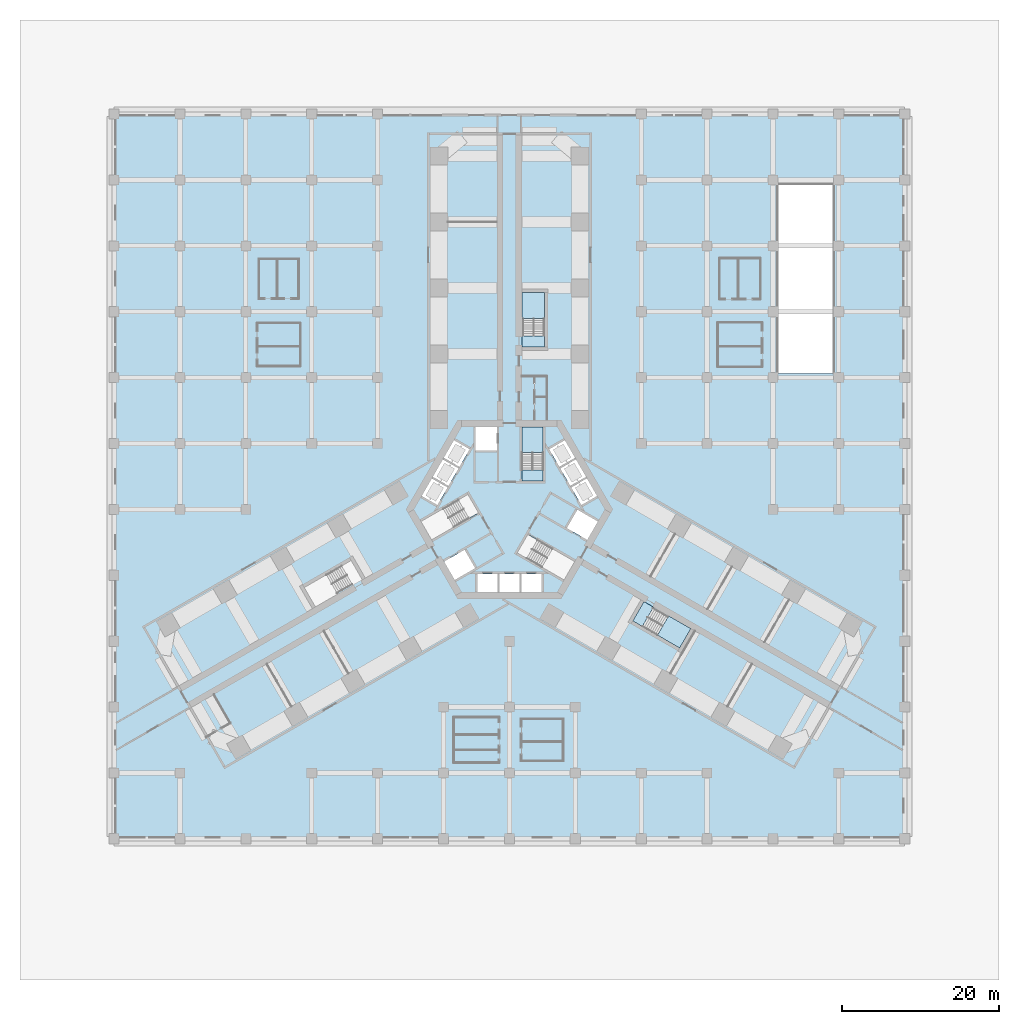
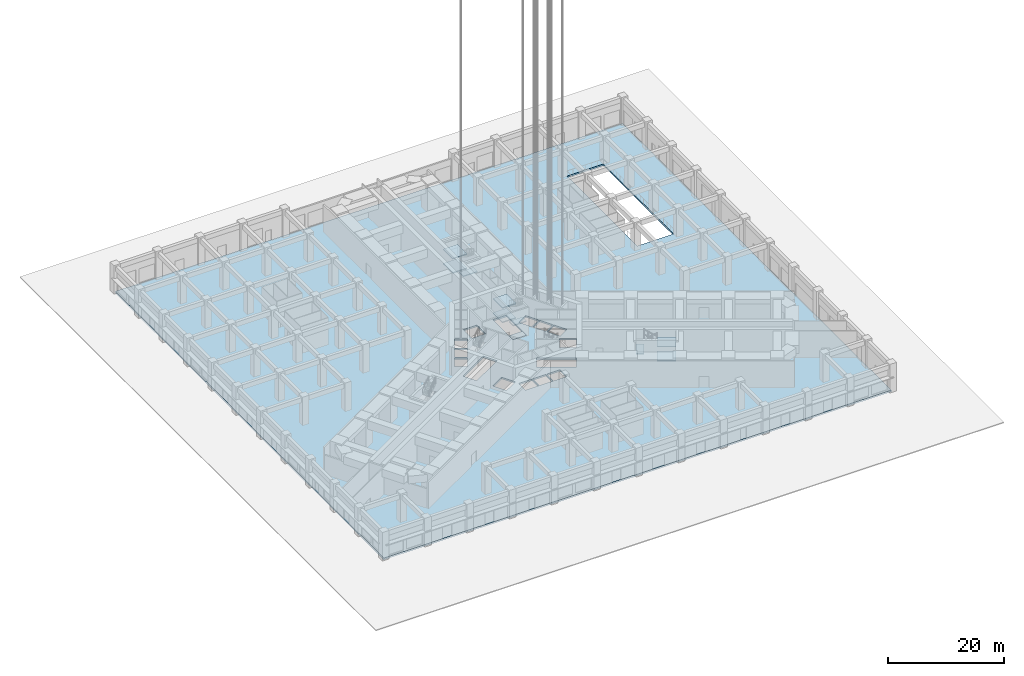
# One storey, part 4 of 33: 11 slabs, 3 elements without a shape of their own.
"""IFC4 building model written with IfcOpenShell, lengths in metres."""

from ifc_helpers import new_model, si_unit, direction, frame, origin, place, context, subcontext, project, spatial, polyline, outline, extrude, material, layer, layer_set, type_object, element, aggregate, save


model = new_model("IFC4")

# Units and contexts
model_context = context("Model", 3, precision=1e-05, world=origin(), true_north=direction((0.0, 1.0)))
body_context = subcontext(model_context, "Body", "Model", "MODEL_VIEW")
ifc_project = project(units=[si_unit("LENGTHUNIT", "METRE"), si_unit("AREAUNIT", "SQUARE_METRE"), si_unit("VOLUMEUNIT", "CUBIC_METRE"), si_unit("PLANEANGLEUNIT", "RADIAN"), si_unit("MASSUNIT", "GRAM", prefix="KILO")], contexts=[model_context])

# Site, building, storey
site_placement = place(None, origin())
site = spatial("IfcSite", under=ifc_project, at=site_placement, CompositionType="ELEMENT")
building_placement = place(site_placement, origin())
building = spatial("IfcBuilding", under=site, at=building_placement, Name="Impinga Residences", CompositionType="ELEMENT")
storey_placement = place(building_placement, origin())
storey = spatial("IfcBuildingStorey", under=building, at=storey_placement, Name="L00", CompositionType="ELEMENT", Elevation=0.0)

# Slab
ifc_material_1 = material(Name="Concrete C60/75", Category="concrete")
ifc_layer_1 = layer(ifc_material_1, 0.35009765625)
ifc_layer_set_1 = layer_set([ifc_layer_1], Name="Concrete C60/75")
slab_type_1 = type_object("IfcSlabType", Name="FS3 ground floor slab over the basements 350", PredefinedType="FLOOR", material=ifc_layer_set_1)
slab_1_placement = place(storey_placement, frame((0.0, 0.0, -0.35009765625)))
element("IfcSlab", 1, at=slab_1_placement, inside=storey, type_object=slab_type_1, Name="Floor slab FS3 L00", PredefinedType="FLOOR", context=body_context, shape_type="SweptSolid", body=[
    extrude(outline(polyline([(-50.39990234375, 50.39990234375), (50.39990234375, 50.39990234375), (50.39990234375, -42.0), (-50.39990234375, -42.0), (-50.39990234375, 50.39990234375)]), holes=[polyline([(-4.10009765625, -8.2314453125), (-4.10009765625, -10.531494140625), (-1.5, -10.531494140625), (-1.5, -8.2314453125), (-4.10009765625, -8.2314453125)]), polyline([(-1.300048828125, -8.2314453125), (-1.300048828125, -10.531494140625), (1.300048828125, -10.531494140625), (1.300048828125, -8.2314453125), (-1.300048828125, -8.2314453125)]), polyline([(-5.72119140625, -5.150634765625), (-8.320556640625, -6.6513671875), (-6.970458984375, -8.98974609375), (-4.37109375, -7.489013671875), (-5.72119140625, -5.150634765625)]), polyline([(-5.293701171875, 1.908935546875), (-11.2705078125, -1.541748046875), (-9.920654296875, -3.880126953125), (-3.943603515625, -0.429443359375), (-5.293701171875, 1.908935546875)]), polyline([(-7.878662109375, 2.816650390625), (-9.87060546875, 3.966796875), (-11.170654296875, 1.715087890625), (-9.1787109375, 0.56494140625), (-7.878662109375, 2.816650390625)]), polyline([(-6.478759765625, 5.24169921875), (-8.470458984375, 6.3916015625), (-9.7705078125, 4.139892578125), (-7.77880859375, 2.989990234375), (-6.478759765625, 5.24169921875)]), polyline([(-5.07861328125, 7.66650390625), (-7.070556640625, 8.81640625), (-8.37060546875, 6.564697265625), (-6.378662109375, 5.414794921875), (-5.07861328125, 7.66650390625)]), polyline([(-1.60009765625, 7.530029296875), (-1.60009765625, 10.531494140625), (-4.300048828125, 10.531494140625), (-4.300048828125, 7.530029296875), (-1.60009765625, 7.530029296875)]), polyline([(1.5, -8.2314453125), (1.5, -10.531494140625), (4.10009765625, -10.531494140625), (4.10009765625, -8.2314453125), (1.5, -8.2314453125)]), polyline([(0.99365234375, -5.538818359375), (6.970458984375, -8.98974609375), (8.320556640625, -6.6513671875), (2.34375, -3.20068359375), (0.99365234375, -5.538818359375)]), polyline([(7.3212890625, -2.37939453125), (9.920654296875, -3.880126953125), (11.2705078125, -1.541748046875), (8.671142578125, -0.041015625), (7.3212890625, -2.37939453125)]), polyline([(9.1787109375, 0.56494140625), (11.170654296875, 1.715087890625), (9.87060546875, 3.966796875), (7.878662109375, 2.816650390625), (9.1787109375, 0.56494140625)]), polyline([(7.77880859375, 2.989990234375), (9.7705078125, 4.139892578125), (8.470458984375, 6.3916015625), (6.478759765625, 5.24169921875), (7.77880859375, 2.989990234375)]), polyline([(4.300048828125, 3.6298828125), (4.300048828125, 10.531494140625), (1.60009765625, 10.531494140625), (1.60009765625, 3.6298828125), (4.300048828125, 3.6298828125)]), polyline([(6.378662109375, 5.414794921875), (8.37060546875, 6.564697265625), (7.070556640625, 8.81640625), (5.07861328125, 7.66650390625), (6.378662109375, 5.414794921875)]), polyline([(41.39990234375, 17.300048828125), (41.39990234375, 41.5), (34.199951171875, 41.5), (34.199951171875, 17.300048828125), (41.39990234375, 17.300048828125)])]), origin(), (0.0, 0.0, 1.0), 0.35009765625),
])

# Stair, slabs
ifc_material_2 = material(Name="Concrete C40/50", Category="concrete")
stair_type_1 = type_object("IfcStairType", Name="STR core stair 6000 storey, 36 risers", PredefinedType="HALF_TURN_STAIR", material=ifc_material_2)
stair_1_placement = place(storey_placement, origin())
stair_1 = element("IfcStair", 2, at=stair_1_placement, inside=storey, type_object=stair_type_1, Name="Stair ST1 L00", PredefinedType="HALF_TURN_STAIR")
ifc_layer_2 = layer(ifc_material_2, 0.199951171875)
ifc_layer_set_2 = layer_set([ifc_layer_2], Name="Concrete C40/50")
slab_type_2 = type_object("IfcSlabType", Name="LS1 stair landing 200", PredefinedType="LANDING", material=ifc_layer_set_2)
slab_2_placement = place(storey_placement, frame((0.0, 0.0, -0.199951171875)))
slab_2 = element("IfcSlab", 3, at=slab_2_placement, type_object=slab_type_2, Name="ST1 landing 1", PredefinedType="LANDING", context=body_context, shape_type="SweptSolid", body=[
    extrude(outline(polyline([(1.60009765625, 3.6298828125), (4.300048828125, 3.6298828125), (4.300048828125, 5.0400390625), (1.60009765625, 5.0400390625), (1.60009765625, 3.6298828125)])), origin(), (0.0, 0.0, 1.0), 0.199951171875),
])
slab_3_placement = place(storey_placement, frame((0.0, 0.0, 1.300048828125)))
slab_3 = element("IfcSlab", 4, at=slab_3_placement, type_object=slab_type_2, Name="ST1 landing 2", PredefinedType="LANDING", context=body_context, shape_type="SweptSolid", body=[
    extrude(outline(polyline([(1.60009765625, 7.260009765625), (4.300048828125, 7.260009765625), (4.300048828125, 10.531494140625), (1.60009765625, 10.531494140625), (1.60009765625, 7.260009765625)])), origin(), (0.0, 0.0, 1.0), 0.199951171875),
])
slab_4_placement = place(storey_placement, frame((0.0, 0.0, 2.800048828125)))
slab_4 = element("IfcSlab", 5, at=slab_4_placement, type_object=slab_type_2, Name="ST1 landing 3", PredefinedType="LANDING", context=body_context, shape_type="SweptSolid", body=[
    extrude(outline(polyline([(1.60009765625, 3.6298828125), (4.300048828125, 3.6298828125), (4.300048828125, 5.0400390625), (1.60009765625, 5.0400390625), (1.60009765625, 3.6298828125)])), origin(), (0.0, 0.0, 1.0), 0.199951171875),
])
slab_5_placement = place(storey_placement, frame((0.0, 0.0, 4.300048828125)))
slab_5 = element("IfcSlab", 6, at=slab_5_placement, type_object=slab_type_2, Name="ST1 landing 4", PredefinedType="LANDING", context=body_context, shape_type="SweptSolid", body=[
    extrude(outline(polyline([(1.60009765625, 7.260009765625), (4.300048828125, 7.260009765625), (4.300048828125, 10.531494140625), (1.60009765625, 10.531494140625), (1.60009765625, 7.260009765625)])), origin(), (0.0, 0.0, 1.0), 0.199951171875),
])
aggregate(stair_1, [slab_2, slab_3, slab_4, slab_5])

stair_type_2 = type_object("IfcStairType", Name="STR wing stair 6000 storey, 36 risers", PredefinedType="HALF_TURN_STAIR", material=ifc_material_2)
stair_2_placement = place(storey_placement, origin())
stair_2 = element("IfcStair", 7, at=stair_2_placement, inside=storey, type_object=stair_type_2, Name="Stair WS1 L00", PredefinedType="HALF_TURN_STAIR")
slab_6_placement = place(storey_placement, frame((0.0, 0.0, 1.300048828125)))
slab_6 = element("IfcSlab", 8, at=slab_6_placement, type_object=slab_type_2, Name="WS1 landing 1", PredefinedType="LANDING", context=body_context, shape_type="SweptSolid", body=[
    extrude(outline(polyline([(1.60009765625, 24.361572265625), (4.449951171875, 24.361572265625), (4.449951171875, 27.631591796875), (1.60009765625, 27.631591796875), (1.60009765625, 24.361572265625)])), origin(), (0.0, 0.0, 1.0), 0.199951171875),
])
slab_7_placement = place(storey_placement, frame((0.0, 0.0, 2.800048828125)))
slab_7 = element("IfcSlab", 9, at=slab_7_placement, type_object=slab_type_2, Name="WS1 landing 2", PredefinedType="LANDING", context=body_context, shape_type="SweptSolid", body=[
    extrude(outline(polyline([(1.60009765625, 20.7314453125), (4.449951171875, 20.7314453125), (4.449951171875, 22.1416015625), (1.60009765625, 22.1416015625), (1.60009765625, 20.7314453125)])), origin(), (0.0, 0.0, 1.0), 0.199951171875),
])
slab_8_placement = place(storey_placement, frame((0.0, 0.0, 4.300048828125)))
slab_8 = element("IfcSlab", 10, at=slab_8_placement, type_object=slab_type_2, Name="WS1 landing 3", PredefinedType="LANDING", context=body_context, shape_type="SweptSolid", body=[
    extrude(outline(polyline([(1.60009765625, 24.361572265625), (4.449951171875, 24.361572265625), (4.449951171875, 27.631591796875), (1.60009765625, 27.631591796875), (1.60009765625, 24.361572265625)])), origin(), (0.0, 0.0, 1.0), 0.199951171875),
])
aggregate(stair_2, [slab_6, slab_7, slab_8])

stair_3_placement = place(storey_placement, origin())
stair_3 = element("IfcStair", 11, at=stair_3_placement, inside=storey, type_object=stair_type_2, Name="Stair WS3 L00", PredefinedType="HALF_TURN_STAIR")
slab_9_placement = place(storey_placement, frame((0.0, 0.0, 1.300048828125)))
slab_9 = element("IfcSlab", 12, at=slab_9_placement, type_object=slab_type_2, Name="WS3 landing 1", PredefinedType="LANDING", context=body_context, shape_type="SweptSolid", body=[
    extrude(outline(polyline([(20.297607421875, -13.56640625), (18.872802734375, -16.03466796875), (21.70458984375, -17.669677734375), (23.129638671875, -15.201416015625), (20.297607421875, -13.56640625)])), origin(), (0.0, 0.0, 1.0), 0.199951171875),
])
slab_10_placement = place(storey_placement, frame((0.0, 0.0, 2.800048828125)))
slab_10 = element("IfcSlab", 13, at=slab_10_placement, type_object=slab_type_2, Name="WS3 landing 2", PredefinedType="LANDING", context=body_context, shape_type="SweptSolid", body=[
    extrude(outline(polyline([(17.154052734375, -11.75146484375), (15.72900390625, -14.219482421875), (16.9501953125, -14.924560546875), (18.375244140625, -12.456298828125), (17.154052734375, -11.75146484375)])), origin(), (0.0, 0.0, 1.0), 0.199951171875),
])
slab_11_placement = place(storey_placement, frame((0.0, 0.0, 4.300048828125)))
slab_11 = element("IfcSlab", 14, at=slab_11_placement, type_object=slab_type_2, Name="WS3 landing 3", PredefinedType="LANDING", context=body_context, shape_type="SweptSolid", body=[
    extrude(outline(polyline([(20.297607421875, -13.56640625), (18.872802734375, -16.03466796875), (21.70458984375, -17.669677734375), (23.129638671875, -15.201416015625), (20.297607421875, -13.56640625)])), origin(), (0.0, 0.0, 1.0), 0.199951171875),
])
aggregate(stair_3, [slab_9, slab_10, slab_11])

save(model, "model.ifc")
